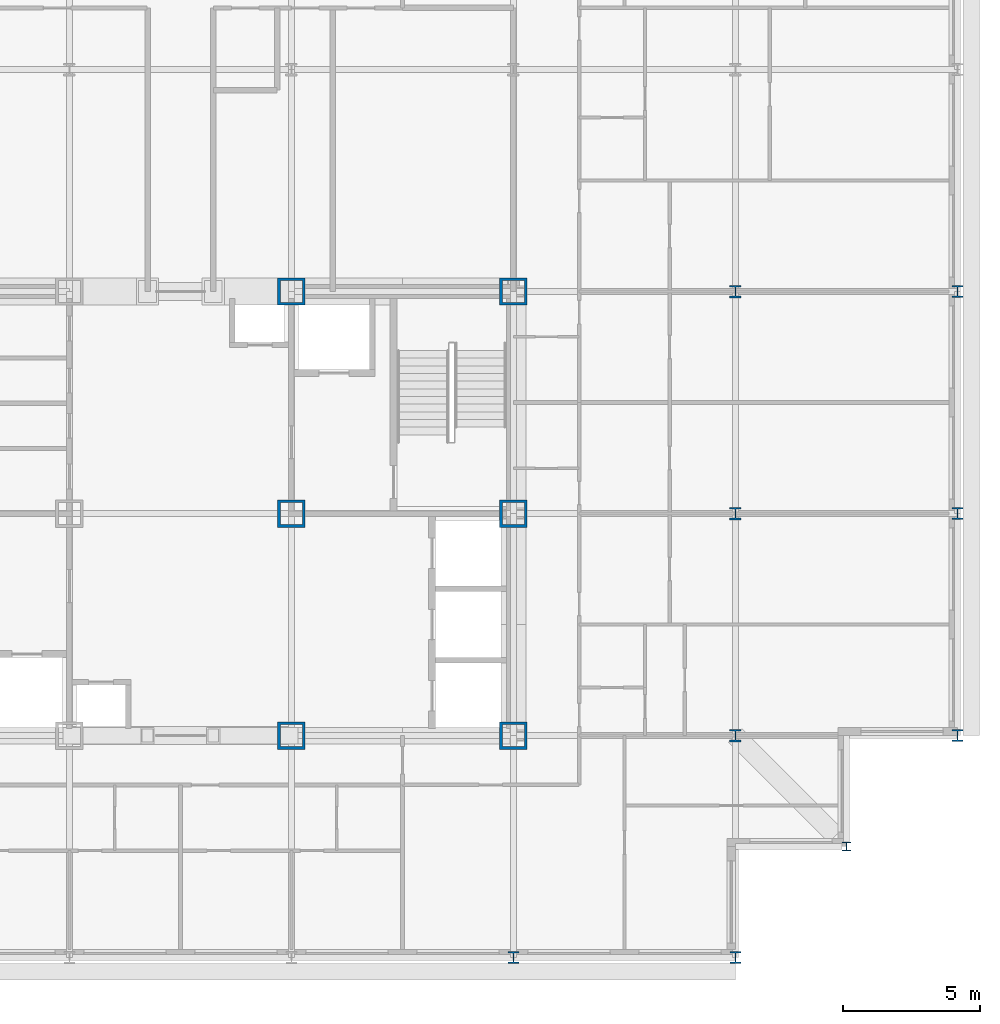
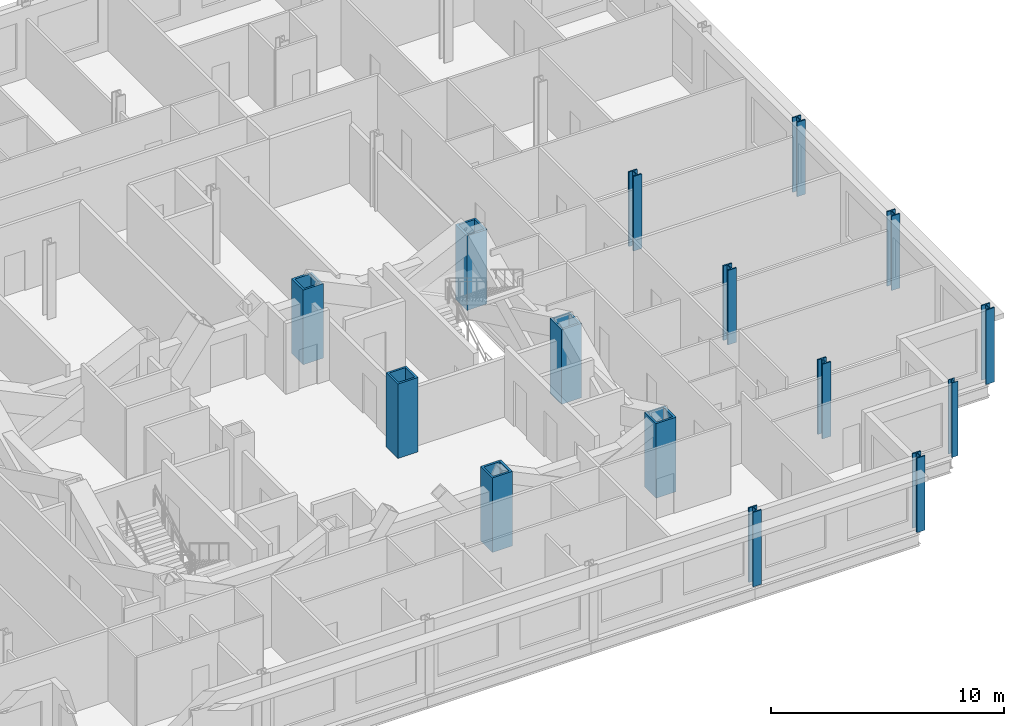
# One storey, part 2 of 15: 15 columns.
"""IFC4 building model written with IfcOpenShell, lengths in metres."""

from ifc_helpers import new_model, si_unit, direction, frame, origin, origin_2d, place, context, subcontext, project, spatial, hollow_rectangle, i_section, extrude, material, material_profile, profile_set, type_object, element, save


model = new_model("IFC4")

# Units and contexts
model_context = context("Model", 3, precision=1e-05, world=origin(), true_north=direction((0.0, 1.0)))
body_context = subcontext(model_context, "Body", "Model", "MODEL_VIEW")
ifc_project = project(units=[si_unit("LENGTHUNIT", "METRE"), si_unit("AREAUNIT", "SQUARE_METRE"), si_unit("VOLUMEUNIT", "CUBIC_METRE"), si_unit("PLANEANGLEUNIT", "RADIAN"), si_unit("MASSUNIT", "GRAM", prefix="KILO")], contexts=[model_context])

# Site, building, storey
site_placement = place(None, origin())
site = spatial("IfcSite", under=ifc_project, at=site_placement, CompositionType="ELEMENT")
building_placement = place(site_placement, origin())
building = spatial("IfcBuilding", under=site, at=building_placement, Name="Kopane Lantern Tower", CompositionType="ELEMENT")
storey_placement = place(building_placement, frame((0.0, 0.0, 250.199951171875)))
storey = spatial("IfcBuildingStorey", under=building, at=storey_placement, Name="L64", CompositionType="ELEMENT", Elevation=250.199951171875)

# Columns
ifc_material_1 = material(Name="Steel S355JR", Category="steel")
ifc_material_profile_1 = material_profile(ifc_material_1, hollow_rectangle(XDim=1.0, YDim=1.0, WallThickness=0.10009765625, at=origin_2d()), Name="BOX 1000x1000x100")
ifc_profile_set_1 = profile_set([ifc_material_profile_1], Name="Steel S355JR")
column_type_1 = type_object("IfcColumnType", Name="COLUMN BOX 1000x1000x100", PredefinedType="COLUMN", material=ifc_profile_set_1)
for number, where, z_axis, x_axis, name in (
    (1, (32.39990234375, 24.300048828125, 0.0), (0.0, 0.0, 1.0), (1.0, 0.0, 0.0), "Column 6/E L64"),
    (2, (32.39990234375, 32.39990234375, 0.0), (0.0, 0.0, 1.0), (1.0, 0.0, 0.0), "Column 6/F L64"),
    (3, (32.39990234375, 40.5, 0.0), (0.0, 0.0, 1.0), (1.0, 0.0, 0.0), "Column 6/G L64"),
    (4, (40.5, 24.300048828125, 0.0), (0.0, 0.0, 1.0), (1.0, 0.0, 0.0), "Column 7/E L64"),
    (5, (40.5, 32.39990234375, 0.0), (0.0, 0.0, 1.0), (1.0, 0.0, 0.0), "Column 7/F L64"),
    (6, (40.5, 40.5, 0.0), (0.0, 0.0, 1.0), (1.0, 0.0, 0.0), "Column 7/G L64"),
):
    element("IfcColumn", number, at=place(storey_placement, frame(where, z_axis=z_axis, x_axis=x_axis)), inside=storey, type_object=column_type_1, Name=name, PredefinedType="COLUMN", context=body_context, shape_type="SweptSolid", body=[
        extrude(hollow_rectangle(XDim=1.0, YDim=1.0, WallThickness=0.10009765625, at=origin_2d()), origin(), (0.0, 0.0, 1.0), 3.900146484375),
    ])
ifc_material_2 = material(Name="Steel S355JR", Category="steel")
ifc_material_profile_2 = material_profile(ifc_material_2, i_section(OverallWidth=0.307373046875, OverallDepth=0.314453125, WebThickness=0.011962890625, FlangeThickness=0.018798828125, FilletRadius=0.01513671875, at=origin_2d()), Name="UC 305x305x118")
ifc_profile_set_2 = profile_set([ifc_material_profile_2], Name="Steel S355JR")
column_type_2 = type_object("IfcColumnType", Name="COLUMN UC 305x305x118", PredefinedType="COLUMN", material=ifc_profile_set_2)
column_placement = place(storey_placement, frame((52.64990234375, 20.25, 0.0), z_axis=(0.0, 0.0, 1.0), x_axis=(1.0, 0.0, 0.0)))
element("IfcColumn", 7, at=column_placement, inside=storey, type_object=column_type_2, Name="Column 52.65/20.25 L64", PredefinedType="COLUMN", context=body_context, shape_type="SweptSolid", body=[
    extrude(i_section(OverallWidth=0.307373046875, OverallDepth=0.314453125, WebThickness=0.011962890625, FlangeThickness=0.018798828125, FilletRadius=0.01513671875, at=origin_2d()), origin(), (0.0, 0.0, 1.0), 3.900146484375),
])
ifc_material_3 = material(Name="Steel S355JR", Category="steel")
ifc_material_profile_3 = material_profile(ifc_material_3, i_section(OverallWidth=0.412109375, OverallDepth=0.4365234375, WebThickness=0.035888671875, FlangeThickness=0.05810546875, FilletRadius=0.01513671875, at=origin_2d()), Name="UC 356x406x467")
ifc_profile_set_3 = profile_set([ifc_material_profile_3], Name="Steel S355JR")
column_type_3 = type_object("IfcColumnType", Name="COLUMN UC 356x406x467", PredefinedType="COLUMN", material=ifc_profile_set_3)
for number, where, z_axis, x_axis, name in (
    (8, (40.5, 16.199951171875, 0.0), (0.0, 0.0, 1.0), (1.0, 0.0, 0.0), "Column 7/D L64"),
    (9, (48.60009765625, 16.199951171875, 0.0), (0.0, 0.0, 1.0), (1.0, 0.0, 0.0), "Column 8/D L64"),
    (10, (56.699951171875, 24.300048828125, 0.0), (0.0, 0.0, 1.0), (1.0, 0.0, 0.0), "Column 9/E L64"),
    (11, (56.699951171875, 32.39990234375, 0.0), (0.0, 0.0, 1.0), (1.0, 0.0, 0.0), "Column 9/F L64"),
    (12, (56.699951171875, 40.5, 0.0), (0.0, 0.0, 1.0), (1.0, 0.0, 0.0), "Column 9/G L64"),
):
    element("IfcColumn", number, at=place(storey_placement, frame(where, z_axis=z_axis, x_axis=x_axis)), inside=storey, type_object=column_type_3, Name=name, PredefinedType="COLUMN", context=body_context, shape_type="SweptSolid", body=[
        extrude(i_section(OverallWidth=0.412109375, OverallDepth=0.4365234375, WebThickness=0.035888671875, FlangeThickness=0.05810546875, FilletRadius=0.01513671875, at=origin_2d()), origin(), (0.0, 0.0, 1.0), 3.900146484375),
    ])
ifc_material_4 = material(Name="Steel S355JR", Category="steel")
ifc_material_profile_4 = material_profile(ifc_material_4, i_section(OverallWidth=0.41845703125, OverallDepth=0.45556640625, WebThickness=0.0419921875, FlangeThickness=0.0673828125, FilletRadius=0.01513671875, at=origin_2d()), Name="UC 356x406x551")
ifc_profile_set_4 = profile_set([ifc_material_profile_4], Name="Steel S355JR")
column_type_4 = type_object("IfcColumnType", Name="COLUMN UC 356x406x551", PredefinedType="COLUMN", material=ifc_profile_set_4)
for number, where, z_axis, x_axis, name in (
    (13, (48.60009765625, 24.300048828125, 0.0), (0.0, 0.0, 1.0), (1.0, 0.0, 0.0), "Column 8/E L64"),
    (14, (48.60009765625, 32.39990234375, 0.0), (0.0, 0.0, 1.0), (1.0, 0.0, 0.0), "Column 8/F L64"),
    (15, (48.60009765625, 40.5, 0.0), (0.0, 0.0, 1.0), (1.0, 0.0, 0.0), "Column 8/G L64"),
):
    element("IfcColumn", number, at=place(storey_placement, frame(where, z_axis=z_axis, x_axis=x_axis)), inside=storey, type_object=column_type_4, Name=name, PredefinedType="COLUMN", context=body_context, shape_type="SweptSolid", body=[
        extrude(i_section(OverallWidth=0.41845703125, OverallDepth=0.45556640625, WebThickness=0.0419921875, FlangeThickness=0.0673828125, FilletRadius=0.01513671875, at=origin_2d()), origin(), (0.0, 0.0, 1.0), 3.900146484375),
    ])

save(model, "model.ifc")
